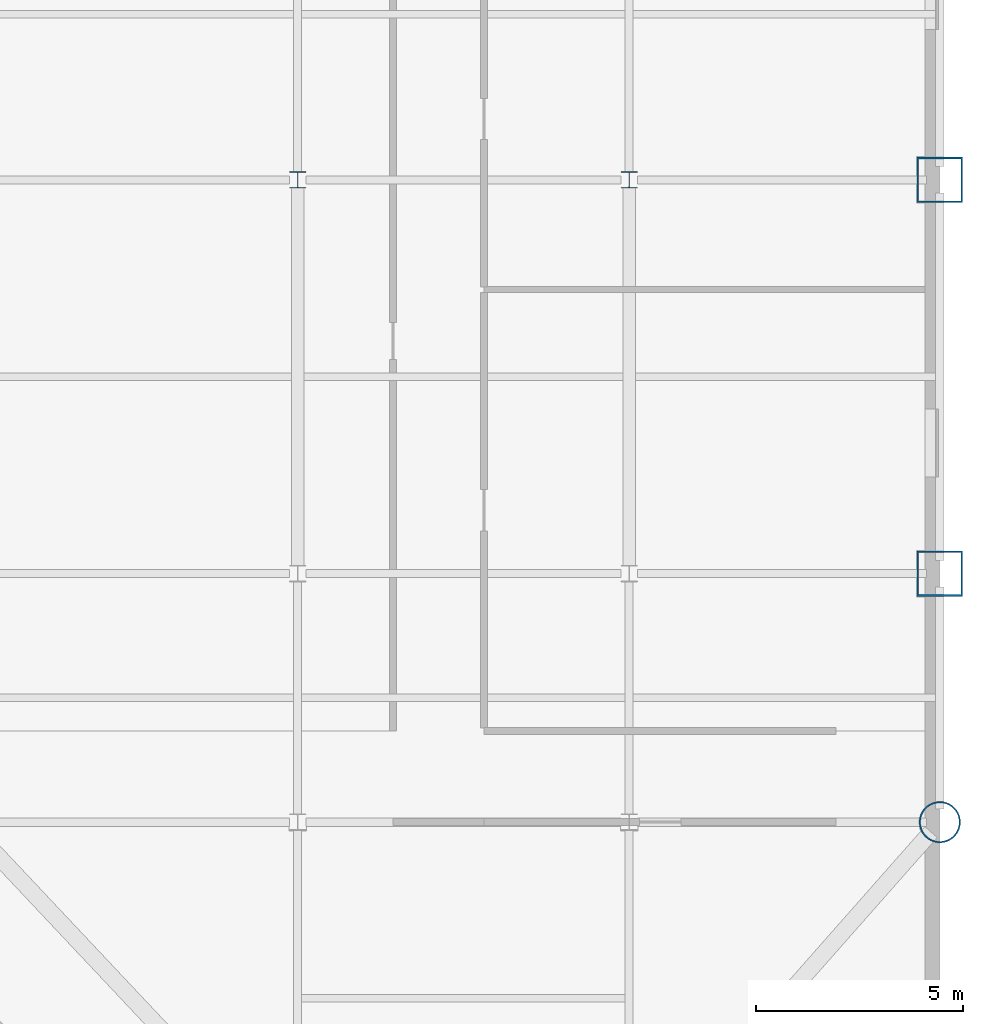
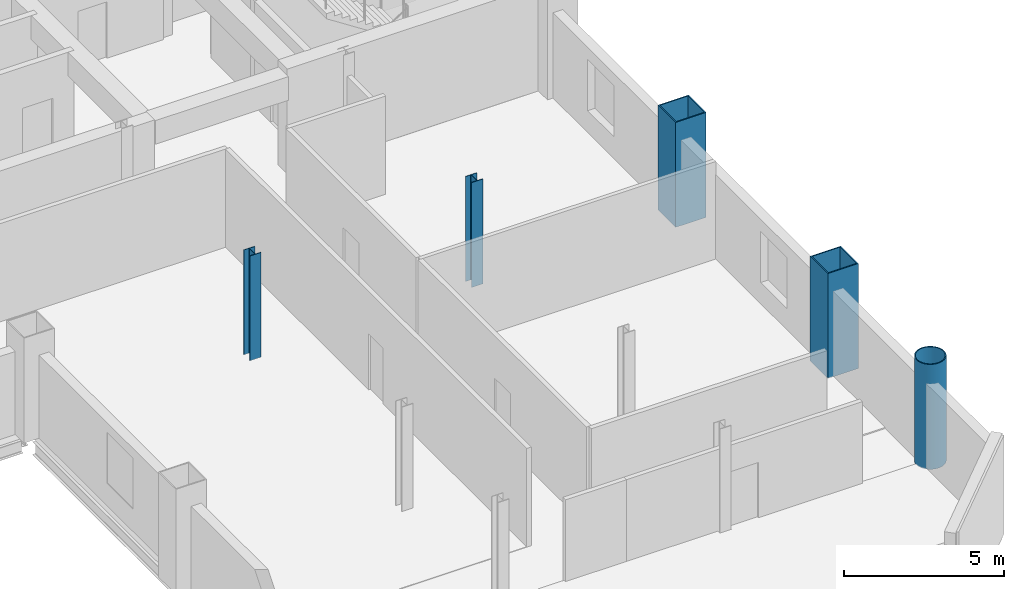
# One storey, part 2 of 10: 5 columns.
"""IFC4 building model written with IfcOpenShell, lengths in metres."""

from ifc_helpers import new_model, si_unit, direction, frame, origin, origin_2d, place, context, subcontext, project, spatial, hollow_rectangle, hollow_circle, i_section, extrude, material, material_profile, profile_set, type_object, element, save


model = new_model("IFC4")

# Units and contexts
model_context = context("Model", 3, precision=1e-05, world=origin(), true_north=direction((0.0, 1.0)))
body_context = subcontext(model_context, "Body", "Model", "MODEL_VIEW")
ifc_project = project(units=[si_unit("LENGTHUNIT", "METRE"), si_unit("AREAUNIT", "SQUARE_METRE"), si_unit("VOLUMEUNIT", "CUBIC_METRE"), si_unit("PLANEANGLEUNIT", "RADIAN"), si_unit("MASSUNIT", "GRAM", prefix="KILO")], contexts=[model_context])

# Site, building, storey
site_placement = place(None, origin())
site = spatial("IfcSite", under=ifc_project, at=site_placement, CompositionType="ELEMENT")
building_placement = place(site_placement, origin())
building = spatial("IfcBuilding", under=site, at=building_placement, Name="Qianrong Seaharbour Tower", CompositionType="ELEMENT")
storey_placement = place(building_placement, frame((0.0, 0.0, 167.0)))
storey = spatial("IfcBuildingStorey", under=building, at=storey_placement, Name="L40", CompositionType="ELEMENT", Elevation=167.0)

# Columns
ifc_material = material(Name="Structural steel SN490B", Category="steel")
ifc_material_profile_1 = material_profile(ifc_material, hollow_rectangle(XDim=1.10009765625, YDim=1.10009765625, WallThickness=0.0400390625, at=origin_2d()), Name="BOX1100x1100x40")
ifc_profile_set_1 = profile_set([ifc_material_profile_1], Name="Structural steel SN490B")
column_type_1 = type_object("IfcColumnType", Name="COL-CFT-1100", PredefinedType="COLUMN", material=ifc_profile_set_1)
for number, where, z_axis, x_axis, name in (
    (1, (64.0, 18.5, 0.0), (0.0, 0.0, 1.0), (1.0, 0.0, 0.0), "L40 Column MC-3 at G9/GD"),
    (2, (64.0, 28.0, 0.0), (0.0, 0.0, 1.0), (1.0, 0.0, 0.0), "L40 Column MC-3 at G9/GE"),
):
    element("IfcColumn", number, at=place(storey_placement, frame(where, z_axis=z_axis, x_axis=x_axis)), inside=storey, type_object=column_type_1, Name=name, PredefinedType="COLUMN", context=body_context, shape_type="SweptSolid", body=[
        extrude(hollow_rectangle(XDim=1.10009765625, YDim=1.10009765625, WallThickness=0.0400390625, at=origin_2d()), origin(), (0.0, 0.0, 1.0), 4.0),
    ])
ifc_material_profile_2 = material_profile(ifc_material, hollow_circle(Radius=0.5, WallThickness=0.035888671875, at=origin_2d()), Name="CHS1000x36")
ifc_profile_set_2 = profile_set([ifc_material_profile_2], Name="Structural steel SN490B")
column_type_2 = type_object("IfcColumnType", Name="COL-CHS-1000", PredefinedType="COLUMN", material=ifc_profile_set_2)
column_placement = place(storey_placement, frame((64.0, 12.5, 0.0), z_axis=(0.0, 0.0, 1.0), x_axis=(1.0, 0.0, 0.0)))
element("IfcColumn", 3, at=column_placement, inside=storey, type_object=column_type_2, Name="L40 Column CC-2 at G9/GC", PredefinedType="COLUMN", context=body_context, shape_type="SweptSolid", body=[
    extrude(hollow_circle(Radius=0.5, WallThickness=0.035888671875, at=origin_2d()), origin(), (0.0, 0.0, 1.0), 4.0),
])
ifc_material_profile_3 = material_profile(ifc_material, i_section(OverallWidth=0.39990234375, OverallDepth=0.39990234375, WebThickness=0.012939453125, FlangeThickness=0.02099609375, FilletRadius=0.02197265625, at=origin_2d()), Name="H400x400x13x21")
ifc_profile_set_3 = profile_set([ifc_material_profile_3], Name="Structural steel SN490B")
column_type_3 = type_object("IfcColumnType", Name="COL-INT-H400", PredefinedType="COLUMN", material=ifc_profile_set_3)
for number, where, z_axis, x_axis, name in (
    (4, (48.5, 28.0, 0.0), (0.0, 0.0, 1.0), (1.0, 0.0, 0.0), "L40 Column IC-3 at G7/GE"),
    (5, (56.5, 28.0, 0.0), (0.0, 0.0, 1.0), (1.0, 0.0, 0.0), "L40 Column IC-3 at G8/GE"),
):
    element("IfcColumn", number, at=place(storey_placement, frame(where, z_axis=z_axis, x_axis=x_axis)), inside=storey, type_object=column_type_3, Name=name, PredefinedType="COLUMN", context=body_context, shape_type="SweptSolid", body=[
        extrude(i_section(OverallWidth=0.39990234375, OverallDepth=0.39990234375, WebThickness=0.012939453125, FlangeThickness=0.02099609375, FilletRadius=0.02197265625, at=origin_2d()), origin(), (0.0, 0.0, 1.0), 4.0),
    ])

save(model, "model.ifc")
